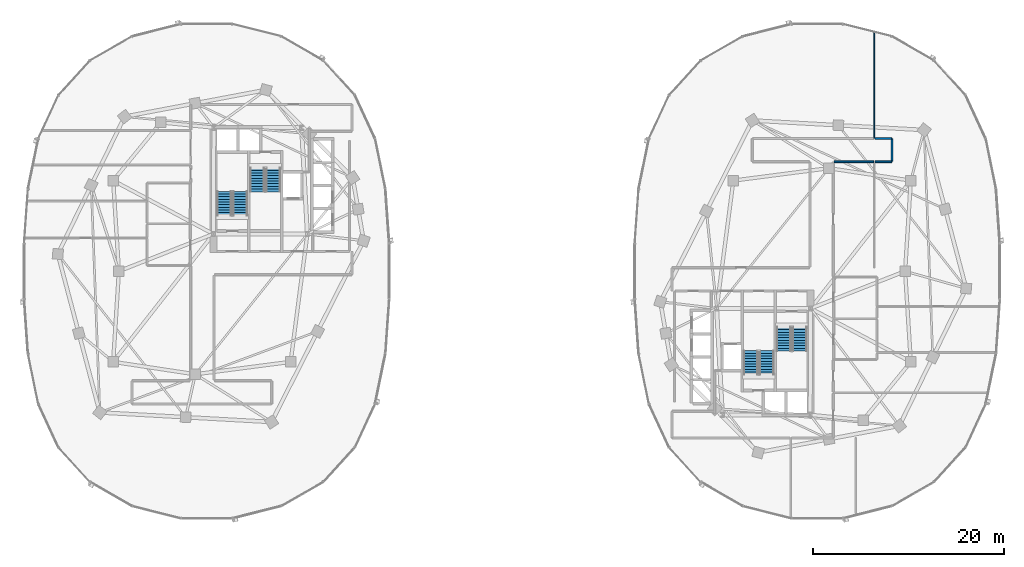
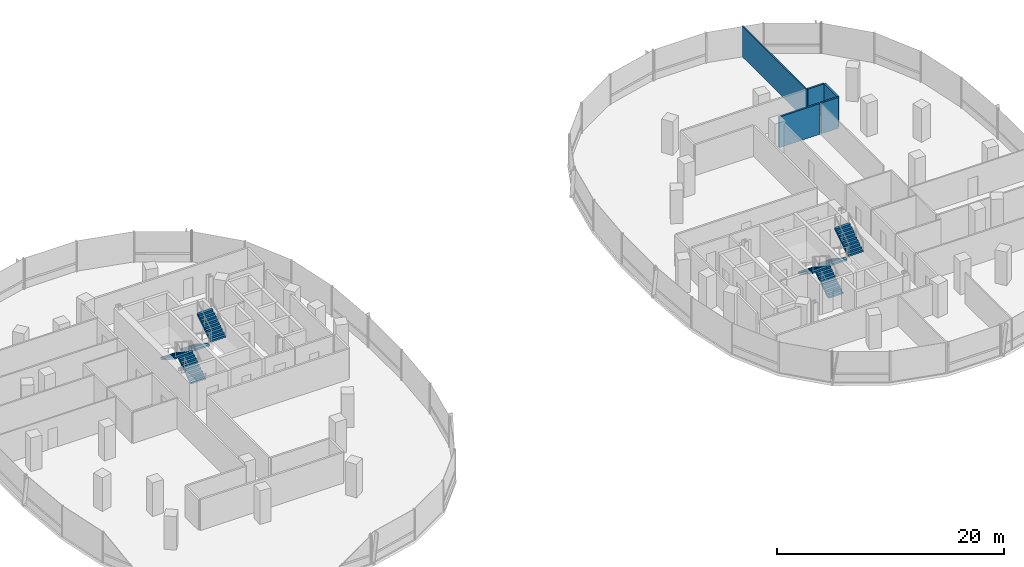
# One storey, part 14 of 21: 8 stair flights, 5 walls, 4 elements without a shape of their own.
"""IFC4 building model written with IfcOpenShell, lengths in metres."""

from ifc_helpers import new_model, si_unit, direction, frame, frame_2d, origin, place, context, subcontext, project, spatial, polyline, rectangle, outline, extrude, material, layer, layer_set, type_object, element, aggregate, save


model = new_model("IFC4")

# Units and contexts
model_context = context("Model", 3, precision=1e-05, world=origin(), true_north=direction((0.0, 1.0)))
body_context = subcontext(model_context, "Body", "Model", "MODEL_VIEW")
ifc_project = project(units=[si_unit("LENGTHUNIT", "METRE"), si_unit("AREAUNIT", "SQUARE_METRE"), si_unit("VOLUMEUNIT", "CUBIC_METRE"), si_unit("PLANEANGLEUNIT", "RADIAN"), si_unit("MASSUNIT", "GRAM", prefix="KILO"), si_unit("THERMODYNAMICTEMPERATUREUNIT", "KELVIN"), si_unit("POWERUNIT", "WATT")], contexts=[model_context])

# Site, building, storey
site_placement = place(None, origin())
site = spatial("IfcSite", under=ifc_project, at=site_placement, CompositionType="ELEMENT")
building_placement = place(site_placement, origin())
building = spatial("IfcBuilding", under=site, at=building_placement, Name="Cundina Bronze Exchange", CompositionType="ELEMENT")
storey_placement = place(building_placement, frame((0.0, 0.0, 85.39990234375)))
storey = spatial("IfcBuildingStorey", under=building, at=storey_placement, Name="L21", CompositionType="ELEMENT", Elevation=85.39990234375)

# Walls
ifc_material_1 = material(Name="Gypsum Fireboard Partition EI120")
ifc_layer_1 = layer(ifc_material_1, 0.179931640625, Name="Gypsum Fireboard Partition EI120")
ifc_layer_set_1 = layer_set([ifc_layer_1], Name="Gypsum Fireboard Partition EI120")
wall_type_1 = type_object("IfcWallType", Name="WL-COR-180", PredefinedType="PARTITIONING", material=ifc_layer_set_1)
wall_1_placement = place(storey_placement, frame((33.75, 11.47998046875, 0.0), z_axis=(0.0, 0.0, 1.0), x_axis=(1.0, 0.0, 0.0)))
element("IfcWall", 1, at=wall_1_placement, inside=storey, type_object=wall_type_1, Name="L21 Interior Partition 067", PredefinedType="PARTITIONING", context=body_context, shape_type="SweptSolid", body=[
    extrude(rectangle(XDim=4.139892578125, YDim=0.179931640625, at=frame_2d((2.06982421875, 0.0))), origin(), (0.0, 0.0, 1.0), 3.300048828125),
])
wall_2_placement = place(storey_placement, frame((39.820068359375, 11.521484375, 0.0), z_axis=(0.0, 0.0, 1.0), x_axis=(0.0, 1.0, 0.0)))
element("IfcWall", 2, at=wall_2_placement, inside=storey, type_object=wall_type_1, Name="L21 Interior Partition 068", PredefinedType="PARTITIONING", context=body_context, shape_type="SweptSolid", body=[
    extrude(rectangle(XDim=2.35693359375, YDim=0.179931640625, at=frame_2d((1.178466796875, 0.0))), origin(), (0.0, 0.0, 1.0), 3.300048828125),
])
for number, where, z_axis, x_axis, name in (
    (3, (38.070068359375, 11.47998046875, 0.0), (0.0, 0.0, 1.0), (1.0, 0.0, 0.0), "L21 Interior Partition 069"),
    (4, (39.778564453125, 13.919921875, 0.0), (0.0, 0.0, 1.0), (-1.0, 0.0, 0.0), "L21 Interior Partition 070"),
):
    element("IfcWall", number, at=place(storey_placement, frame(where, z_axis=z_axis, x_axis=x_axis)), inside=storey, type_object=wall_type_1, Name=name, PredefinedType="PARTITIONING", context=body_context, shape_type="SweptSolid", body=[
        extrude(rectangle(XDim=1.70849609375, YDim=0.179931640625, at=frame_2d((0.854248046875, 0.0))), origin(), (0.0, 0.0, 1.0), 3.300048828125),
    ])
ifc_material_2 = material(Name="Gypsum Acoustic Partition EI60")
ifc_layer_2 = layer(ifc_material_2, 0.125, Name="Gypsum Acoustic Partition EI60")
ifc_layer_set_2 = layer_set([ifc_layer_2], Name="Gypsum Acoustic Partition EI60")
wall_type_2 = type_object("IfcWallType", Name="WL-OFF-125", PredefinedType="PARTITIONING", material=ifc_layer_set_2)
wall_3_placement = place(storey_placement, frame((37.97998046875, 13.949951171875, 0.0), z_axis=(0.0, 0.0, 1.0), x_axis=(0.0, 1.0, 0.0)))
element("IfcWall", 5, at=wall_3_placement, inside=storey, type_object=wall_type_2, Name="L21 Interior Partition 049", PredefinedType="PARTITIONING", context=body_context, shape_type="SweptSolid", body=[
    extrude(rectangle(XDim=11.20654296875, YDim=0.125, at=frame_2d((5.603271484375, 0.0))), origin(), (0.0, 0.0, 1.0), 3.300048828125),
])

# Stair, stair flights
ifc_material_3 = material(Name="Concrete C40/50", Category="concrete")
stair_type = type_object("IfcStairType", Name="STR-OFF-360", PredefinedType="HALF_TURN_STAIR", material=ifc_material_3)
stair_1_placement = place(storey_placement, origin())
stair_1 = element("IfcStair", 6, at=stair_1_placement, inside=storey, type_object=stair_type, Name="L21 Smokeproof Exit Stair W1", PredefinedType="HALF_TURN_STAIR")
stair_flight_type = type_object("IfcStairFlightType", Name="FLG-OFF-180", PredefinedType="STRAIGHT", material=ifc_material_3)
stair_flight_1_placement = place(storey_placement, frame((-28.489990234375, 5.85009765625, 0.0), z_axis=(0.0, 0.0, 1.0), x_axis=(0.0, 1.0, 0.0)))
stair_flight_1 = element("IfcStairFlight", 7, at=stair_flight_1_placement, type_object=stair_flight_type, Name="ST-W1 flight 1", NumberOfRisers=10, NumberOfTreads=9, PredefinedType="STRAIGHT", RiserHeight=0.18, TreadLength=0.28, context=body_context, shape_type="SweptSolid", body=[
    extrude(outline(polyline([(0.0, 0.0), (0.0, 0.179931640625), (0.280029296875, 0.179931640625), (0.280029296875, 0.360107421875), (0.56005859375, 0.360107421875), (0.56005859375, 0.5400390625), (0.840087890625, 0.5400390625), (0.840087890625, 0.719970703125), (1.1201171875, 0.719970703125), (1.1201171875, 0.89990234375), (1.39990234375, 0.89990234375), (1.39990234375, 1.080078125), (1.679931640625, 1.080078125), (1.679931640625, 1.260009765625), (1.9599609375, 1.260009765625), (1.9599609375, 1.43994140625), (2.239990234375, 1.43994140625), (2.239990234375, 1.6201171875), (2.52001953125, 1.6201171875), (2.52001953125, 1.800048828125), (2.52001953125, 1.44189453125), (0.277099609375, 0.0), (0.0, 0.0)])), frame((0.0, 0.75, 0.0), z_axis=(0.0, -1.0, 0.0), x_axis=(1.0, 0.0, 0.0)), (0.0, 0.0, 1.0), 1.5),
])
stair_flight_2_placement = place(storey_placement, frame((-30.14990234375, 8.3701171875, 1.800048828125), z_axis=(0.0, 0.0, 1.0), x_axis=(0.0, -1.0, 0.0)))
stair_flight_2 = element("IfcStairFlight", 8, at=stair_flight_2_placement, type_object=stair_flight_type, Name="ST-W1 flight 2", NumberOfRisers=10, NumberOfTreads=9, PredefinedType="STRAIGHT", RiserHeight=0.18, TreadLength=0.28, context=body_context, shape_type="SweptSolid", body=[
    extrude(outline(polyline([(0.0, 0.0), (0.0, 0.179931640625), (0.280029296875, 0.179931640625), (0.280029296875, 0.360107421875), (0.56005859375, 0.360107421875), (0.56005859375, 0.5400390625), (0.840087890625, 0.5400390625), (0.840087890625, 0.719970703125), (1.1201171875, 0.719970703125), (1.1201171875, 0.89990234375), (1.39990234375, 0.89990234375), (1.39990234375, 1.080078125), (1.679931640625, 1.080078125), (1.679931640625, 1.260009765625), (1.9599609375, 1.260009765625), (1.9599609375, 1.43994140625), (2.239990234375, 1.43994140625), (2.239990234375, 1.6201171875), (2.52001953125, 1.6201171875), (2.52001953125, 1.800048828125), (2.52001953125, 1.44189453125), (0.277099609375, 0.0), (0.0, 0.0)])), frame((0.0, 0.75, 0.0), z_axis=(0.0, -1.0, 0.0), x_axis=(1.0, 0.0, 0.0)), (0.0, 0.0, 1.0), 1.5),
])
aggregate(stair_1, [stair_flight_1, stair_flight_2])

stair_2_placement = place(storey_placement, origin())
stair_2 = element("IfcStair", 9, at=stair_2_placement, inside=storey, type_object=stair_type, Name="L21 Smokeproof Exit Stair W2", PredefinedType="HALF_TURN_STAIR")
stair_flight_3_placement = place(storey_placement, frame((-26.68994140625, 10.85009765625, 0.0), z_axis=(0.0, 0.0, 1.0), x_axis=(0.0, -1.0, 0.0)))
stair_flight_3 = element("IfcStairFlight", 10, at=stair_flight_3_placement, type_object=stair_flight_type, Name="ST-W2 flight 1", NumberOfRisers=10, NumberOfTreads=9, PredefinedType="STRAIGHT", RiserHeight=0.18, TreadLength=0.28, context=body_context, shape_type="SweptSolid", body=[
    extrude(outline(polyline([(0.0, 0.0), (0.0, 0.179931640625), (0.280029296875, 0.179931640625), (0.280029296875, 0.360107421875), (0.56005859375, 0.360107421875), (0.56005859375, 0.5400390625), (0.840087890625, 0.5400390625), (0.840087890625, 0.719970703125), (1.1201171875, 0.719970703125), (1.1201171875, 0.89990234375), (1.39990234375, 0.89990234375), (1.39990234375, 1.080078125), (1.679931640625, 1.080078125), (1.679931640625, 1.260009765625), (1.9599609375, 1.260009765625), (1.9599609375, 1.43994140625), (2.239990234375, 1.43994140625), (2.239990234375, 1.6201171875), (2.52001953125, 1.6201171875), (2.52001953125, 1.800048828125), (2.52001953125, 1.44189453125), (0.277099609375, 0.0), (0.0, 0.0)])), frame((0.0, 0.75, 0.0), z_axis=(0.0, -1.0, 0.0), x_axis=(1.0, 0.0, 0.0)), (0.0, 0.0, 1.0), 1.5),
])
stair_flight_4_placement = place(storey_placement, frame((-25.030029296875, 8.330078125, 1.800048828125), z_axis=(0.0, 0.0, 1.0), x_axis=(0.0, 1.0, 0.0)))
stair_flight_4 = element("IfcStairFlight", 11, at=stair_flight_4_placement, type_object=stair_flight_type, Name="ST-W2 flight 2", NumberOfRisers=10, NumberOfTreads=9, PredefinedType="STRAIGHT", RiserHeight=0.18, TreadLength=0.28, context=body_context, shape_type="SweptSolid", body=[
    extrude(outline(polyline([(0.0, 0.0), (0.0, 0.179931640625), (0.280029296875, 0.179931640625), (0.280029296875, 0.360107421875), (0.56005859375, 0.360107421875), (0.56005859375, 0.5400390625), (0.840087890625, 0.5400390625), (0.840087890625, 0.719970703125), (1.1201171875, 0.719970703125), (1.1201171875, 0.89990234375), (1.39990234375, 0.89990234375), (1.39990234375, 1.080078125), (1.679931640625, 1.080078125), (1.679931640625, 1.260009765625), (1.9599609375, 1.260009765625), (1.9599609375, 1.43994140625), (2.239990234375, 1.43994140625), (2.239990234375, 1.6201171875), (2.52001953125, 1.6201171875), (2.52001953125, 1.800048828125), (2.52001953125, 1.44189453125), (0.277099609375, 0.0), (0.0, 0.0)])), frame((0.0, 0.75, 0.0), z_axis=(0.0, -1.0, 0.0), x_axis=(1.0, 0.0, 0.0)), (0.0, 0.0, 1.0), 1.5),
])
aggregate(stair_2, [stair_flight_3, stair_flight_4])

stair_3_placement = place(storey_placement, origin())
stair_3 = element("IfcStair", 12, at=stair_3_placement, inside=storey, type_object=stair_type, Name="L21 Smokeproof Exit Stair E1", PredefinedType="HALF_TURN_STAIR")
stair_flight_5_placement = place(storey_placement, frame((28.489990234375, -5.85009765625, 0.0), z_axis=(0.0, 0.0, 1.0), x_axis=(0.0, -1.0, 0.0)))
stair_flight_5 = element("IfcStairFlight", 13, at=stair_flight_5_placement, type_object=stair_flight_type, Name="ST-E1 flight 1", NumberOfRisers=10, NumberOfTreads=9, PredefinedType="STRAIGHT", RiserHeight=0.18, TreadLength=0.28, context=body_context, shape_type="SweptSolid", body=[
    extrude(outline(polyline([(0.0, 0.0), (0.0, 0.179931640625), (0.280029296875, 0.179931640625), (0.280029296875, 0.360107421875), (0.56005859375, 0.360107421875), (0.56005859375, 0.5400390625), (0.840087890625, 0.5400390625), (0.840087890625, 0.719970703125), (1.1201171875, 0.719970703125), (1.1201171875, 0.89990234375), (1.39990234375, 0.89990234375), (1.39990234375, 1.080078125), (1.679931640625, 1.080078125), (1.679931640625, 1.260009765625), (1.9599609375, 1.260009765625), (1.9599609375, 1.43994140625), (2.239990234375, 1.43994140625), (2.239990234375, 1.6201171875), (2.52001953125, 1.6201171875), (2.52001953125, 1.800048828125), (2.52001953125, 1.44189453125), (0.277099609375, 0.0), (0.0, 0.0)])), frame((0.0, 0.75, 0.0), z_axis=(0.0, -1.0, 0.0), x_axis=(1.0, 0.0, 0.0)), (0.0, 0.0, 1.0), 1.5),
])
stair_flight_6_placement = place(storey_placement, frame((30.14990234375, -8.3701171875, 1.800048828125), z_axis=(0.0, 0.0, 1.0), x_axis=(0.0, 1.0, 0.0)))
stair_flight_6 = element("IfcStairFlight", 14, at=stair_flight_6_placement, type_object=stair_flight_type, Name="ST-E1 flight 2", NumberOfRisers=10, NumberOfTreads=9, PredefinedType="STRAIGHT", RiserHeight=0.18, TreadLength=0.28, context=body_context, shape_type="SweptSolid", body=[
    extrude(outline(polyline([(0.0, 0.0), (0.0, 0.179931640625), (0.280029296875, 0.179931640625), (0.280029296875, 0.360107421875), (0.56005859375, 0.360107421875), (0.56005859375, 0.5400390625), (0.840087890625, 0.5400390625), (0.840087890625, 0.719970703125), (1.1201171875, 0.719970703125), (1.1201171875, 0.89990234375), (1.39990234375, 0.89990234375), (1.39990234375, 1.080078125), (1.679931640625, 1.080078125), (1.679931640625, 1.260009765625), (1.9599609375, 1.260009765625), (1.9599609375, 1.43994140625), (2.239990234375, 1.43994140625), (2.239990234375, 1.6201171875), (2.52001953125, 1.6201171875), (2.52001953125, 1.800048828125), (2.52001953125, 1.44189453125), (0.277099609375, 0.0), (0.0, 0.0)])), frame((0.0, 0.75, 0.0), z_axis=(0.0, -1.0, 0.0), x_axis=(1.0, 0.0, 0.0)), (0.0, 0.0, 1.0), 1.5),
])
aggregate(stair_3, [stair_flight_5, stair_flight_6])

stair_4_placement = place(storey_placement, origin())
stair_4 = element("IfcStair", 15, at=stair_4_placement, inside=storey, type_object=stair_type, Name="L21 Smokeproof Exit Stair E2", PredefinedType="HALF_TURN_STAIR")
stair_flight_7_placement = place(storey_placement, frame((26.68994140625, -10.85009765625, 0.0), z_axis=(0.0, 0.0, 1.0), x_axis=(0.0, 1.0, 0.0)))
stair_flight_7 = element("IfcStairFlight", 16, at=stair_flight_7_placement, type_object=stair_flight_type, Name="ST-E2 flight 1", NumberOfRisers=10, NumberOfTreads=9, PredefinedType="STRAIGHT", RiserHeight=0.18, TreadLength=0.28, context=body_context, shape_type="SweptSolid", body=[
    extrude(outline(polyline([(0.0, 0.0), (0.0, 0.179931640625), (0.280029296875, 0.179931640625), (0.280029296875, 0.360107421875), (0.56005859375, 0.360107421875), (0.56005859375, 0.5400390625), (0.840087890625, 0.5400390625), (0.840087890625, 0.719970703125), (1.1201171875, 0.719970703125), (1.1201171875, 0.89990234375), (1.39990234375, 0.89990234375), (1.39990234375, 1.080078125), (1.679931640625, 1.080078125), (1.679931640625, 1.260009765625), (1.9599609375, 1.260009765625), (1.9599609375, 1.43994140625), (2.239990234375, 1.43994140625), (2.239990234375, 1.6201171875), (2.52001953125, 1.6201171875), (2.52001953125, 1.800048828125), (2.52001953125, 1.44189453125), (0.277099609375, 0.0), (0.0, 0.0)])), frame((0.0, 0.75, 0.0), z_axis=(0.0, -1.0, 0.0), x_axis=(1.0, 0.0, 0.0)), (0.0, 0.0, 1.0), 1.5),
])
stair_flight_8_placement = place(storey_placement, frame((25.030029296875, -8.330078125, 1.800048828125), z_axis=(0.0, 0.0, 1.0), x_axis=(0.0, -1.0, 0.0)))
stair_flight_8 = element("IfcStairFlight", 17, at=stair_flight_8_placement, type_object=stair_flight_type, Name="ST-E2 flight 2", NumberOfRisers=10, NumberOfTreads=9, PredefinedType="STRAIGHT", RiserHeight=0.18, TreadLength=0.28, context=body_context, shape_type="SweptSolid", body=[
    extrude(outline(polyline([(0.0, 0.0), (0.0, 0.179931640625), (0.280029296875, 0.179931640625), (0.280029296875, 0.360107421875), (0.56005859375, 0.360107421875), (0.56005859375, 0.5400390625), (0.840087890625, 0.5400390625), (0.840087890625, 0.719970703125), (1.1201171875, 0.719970703125), (1.1201171875, 0.89990234375), (1.39990234375, 0.89990234375), (1.39990234375, 1.080078125), (1.679931640625, 1.080078125), (1.679931640625, 1.260009765625), (1.9599609375, 1.260009765625), (1.9599609375, 1.43994140625), (2.239990234375, 1.43994140625), (2.239990234375, 1.6201171875), (2.52001953125, 1.6201171875), (2.52001953125, 1.800048828125), (2.52001953125, 1.44189453125), (0.277099609375, 0.0), (0.0, 0.0)])), frame((0.0, 0.75, 0.0), z_axis=(0.0, -1.0, 0.0), x_axis=(1.0, 0.0, 0.0)), (0.0, 0.0, 1.0), 1.5),
])
aggregate(stair_4, [stair_flight_7, stair_flight_8])

save(model, "model.ifc")
